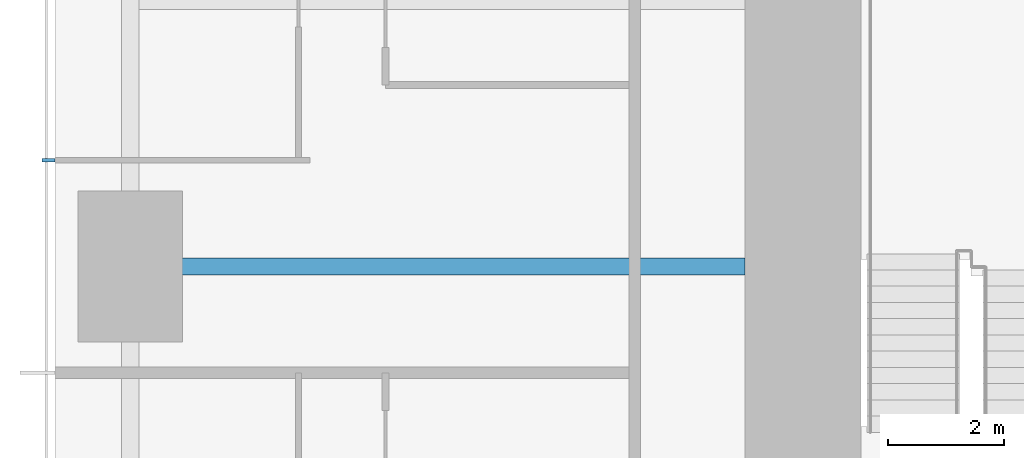
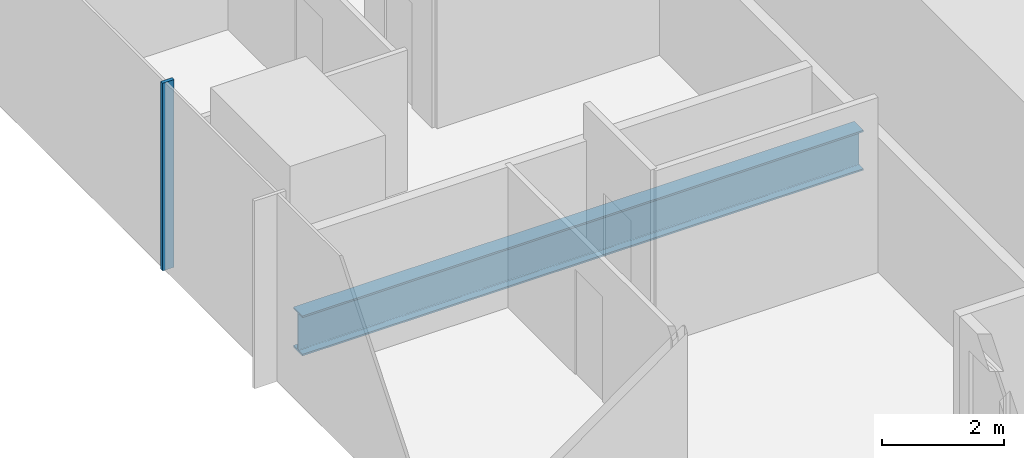
# One storey, part 3 of 13: 1 beam, 1 member, 1 element without a shape of its own.
"""IFC4 building model written with IfcOpenShell, lengths in metres."""

import ifcopenshell
import ifcopenshell.guid

model = None  # the IFC model being written
_history = None  # IfcOwnerHistory: only IFC2X3 demands one
_inside = {}  # id of a spatial element -> (the spatial element, [elements in it])
_under = {}  # id of a project, library or spatial element -> (it, [spatial elements below it])
_declared = {}  # id of a project -> (the project, [libraries it declares])
_typed = {}  # id of a type object -> (the type object, [elements of that type])
_made_of = {}  # id of a material, layer set ... -> (it, [elements and type objects made of it])


def new_model(schema):
    """Start an empty IFC model of exactly this schema.

    Asked for "IFC4X3", IfcOpenShell would pick the latest addendum, in which some entities
    have other attributes; the version numbers below select the first issue.
    IFC2X3 requires an IfcOwnerHistory on every rooted entity: one is made here for all.
    """
    global model, _history
    if schema == "IFC4X3":
        model = ifcopenshell.file(schema_version=(4, 3, 0, 0))
    else:
        model = ifcopenshell.file(schema=schema)
    _inside.clear()
    _under.clear()
    _declared.clear()
    _typed.clear()
    _made_of.clear()
    _history = None
    if model.schema == "IFC2X3":
        org = make("IfcOrganization", Name="unknown")
        user = make(
            "IfcPersonAndOrganization",
            ThePerson=make("IfcPerson", FamilyName="unknown"),
            TheOrganization=org,
        )
        app = make(
            "IfcApplication",
            ApplicationDeveloper=org,
            Version="unknown",
            ApplicationFullName="unknown",
            ApplicationIdentifier="unknown",
        )
        _history = make(
            "IfcOwnerHistory",
            OwningUser=user,
            OwningApplication=app,
            ChangeAction="ADDED",
            CreationDate=0,
        )
    return model


def make(cls, **values):
    """One entity of the class cls with the attributes given. An attribute that is None is left unset."""
    return model.create_entity(
        cls, **{name: value for name, value in values.items() if value is not None}
    )


def rooted(cls, **values):
    """An entity with a GlobalId (a new one), such as an element, a storey or a relation."""
    return make(cls, GlobalId=ifcopenshell.guid.new(), OwnerHistory=_history, **values)


def si_unit(unit_type, name, prefix=None):
    """IfcSIUnit, for example si_unit("LENGTHUNIT", "METRE", prefix="MILLI")."""
    return make("IfcSIUnit", UnitType=unit_type, Prefix=prefix, Name=name)


def assignment(units):
    """IfcUnitAssignment: the units of a project."""
    return None if units is None else make("IfcUnitAssignment", Units=units)


def point(xyz):
    """IfcCartesianPoint."""
    return None if xyz is None else make("IfcCartesianPoint", Coordinates=xyz)


def direction(xyz):
    """IfcDirection."""
    return None if xyz is None else make("IfcDirection", DirectionRatios=xyz)


def frame(location, z_axis=None, x_axis=None):
    """IfcAxis2Placement3D, a coordinate frame: its origin and axes. An axis left out is left unset."""
    return make(
        "IfcAxis2Placement3D",
        Location=point(location),
        Axis=direction(z_axis),
        RefDirection=direction(x_axis),
    )


def frame_2d(location, x_axis=None):
    """IfcAxis2Placement2D, a coordinate frame in the plane: its origin and x axis."""
    return make(
        "IfcAxis2Placement2D", Location=point(location), RefDirection=direction(x_axis)
    )


def origin():
    """The frame at (0, 0, 0) with its axes left unset."""
    return frame((0.0, 0.0, 0.0))


def origin_2d():
    """The frame at (0, 0) in the plane with its x axis left unset."""
    return frame_2d((0.0, 0.0))


def place(relative_to, where):
    """IfcLocalPlacement: puts the frame where relative to a parent placement (None: the world)."""
    return make(
        "IfcLocalPlacement", PlacementRelTo=relative_to, RelativePlacement=where
    )


def context(
    kind, dimensions, precision=None, world=None, true_north=None, identifier=None
):
    """IfcGeometricRepresentationContext, for example the 3D "Model" context."""
    return make(
        "IfcGeometricRepresentationContext",
        ContextIdentifier=identifier,
        ContextType=kind,
        CoordinateSpaceDimension=dimensions,
        Precision=precision,
        WorldCoordinateSystem=world,
        TrueNorth=true_north,
    )


def subcontext(parent, identifier, kind, view, scale=None):
    """IfcGeometricRepresentationSubContext, for example "Body" below "Model"."""
    return make(
        "IfcGeometricRepresentationSubContext",
        ContextIdentifier=identifier,
        ContextType=kind,
        ParentContext=parent,
        TargetScale=scale,
        TargetView=view,
    )


def project(units=None, contexts=None):
    """IfcProject with its units and contexts."""
    return rooted(
        "IfcProject",
        Name="project",
        RepresentationContexts=contexts,
        UnitsInContext=assignment(units),
    )


def spatial(cls, under=None, at=None, **own):
    """A site, building, storey or space (cls), placed at a placement, below another one or the project."""
    s = rooted(cls, ObjectPlacement=at, **own)
    if under is not None:
        _under.setdefault(under.id(), (under, []))[1].append(s)
    return s


def profile(cls, at=None, kind="AREA", **sizes):
    """A parametric profile (cls). Its sizes go by their IFC names, for example OverallWidth=200.0."""
    return make(cls, ProfileType=kind, Position=at, **sizes)


def rectangle(**sizes):
    """IfcRectangleProfileDef."""
    return profile("IfcRectangleProfileDef", **sizes)


def i_section(**sizes):
    """IfcIShapeProfileDef."""
    return profile("IfcIShapeProfileDef", **sizes)


def extrude(swept, where, along, depth):
    """IfcExtrudedAreaSolid: the profile swept, set in the frame where, extruded along a direction by depth."""
    return make(
        "IfcExtrudedAreaSolid",
        SweptArea=swept,
        Position=where,
        ExtrudedDirection=direction(along),
        Depth=depth,
    )


def shape(context_of_items, identifier, shape_type, items):
    """IfcShapeRepresentation: the items that make up one representation, for example the "Body"."""
    return make(
        "IfcShapeRepresentation",
        ContextOfItems=context_of_items,
        RepresentationIdentifier=identifier,
        RepresentationType=shape_type,
        Items=items,
    )


def material(Name=None, Category=None):
    """IfcMaterial."""
    return make("IfcMaterial", Name=Name, Category=Category)


def material_profile(
    of_material, cross_section, Name=None, Category=None, Priority=None
):
    """IfcMaterialProfile: a cross section and its material."""
    return make(
        "IfcMaterialProfile",
        Name=Name,
        Material=of_material,
        Profile=cross_section,
        Priority=Priority,
        Category=Category,
    )


def profile_set(profiles, Name=None, composite=None):
    """IfcMaterialProfileSet."""
    return make(
        "IfcMaterialProfileSet",
        Name=Name,
        MaterialProfiles=profiles,
        CompositeProfile=composite,
    )


def made_of(thing, what):
    """Note that an element or type object is made of a material, layer set ...; save() writes the relation."""
    if what is not None:
        _made_of.setdefault(what.id(), (what, []))[1].append(thing)
    return thing


def type_object(cls, material=None, **own):
    """A type object (cls), such as IfcWallType, which elements share."""
    return made_of(rooted(cls, **own), material)


def element(
    cls,
    number,
    at=None,
    inside=None,
    cuts=None,
    type_object=None,
    material=None,
    context=None,
    identifier="Body",
    shape_type=None,
    held_by="IfcProductDefinitionShape",
    body=None,
    shapes=None,
    **own,
):
    """One element of the class cls, such as IfcWall. Its Tag is "e" and its number.

    at: its placement. inside: the storey or other place that contains it. cuts: it is an
    opening in that element (IfcRelVoidsElement). A single representation is given by context,
    identifier, shape_type and body (its items); several are given by shapes. held_by: the class
    of the entity that holds the representations. save() writes the other relations.
    """
    e = rooted(cls, Tag="e%d" % number, ObjectPlacement=at, **own)
    if body is not None:
        shapes = [shape(context, identifier, shape_type, body)]
    if shapes is not None:
        e.Representation = make(held_by, Representations=shapes)
    if inside is not None:
        _inside.setdefault(inside.id(), (inside, []))[1].append(e)
    if cuts is not None:
        rooted(
            "IfcRelVoidsElement", RelatingBuildingElement=cuts, RelatedOpeningElement=e
        )
    if type_object is not None:
        _typed.setdefault(type_object.id(), (type_object, []))[1].append(e)
    return made_of(e, material)


def aggregate(whole, parts):
    """IfcRelAggregates: a whole, such as a stair, and the parts it consists of."""
    return rooted("IfcRelAggregates", RelatingObject=whole, RelatedObjects=parts)


def save(model, path):
    """Write the relations noted so far, then the file.

    IfcRelAggregates (storeys below a building ...), IfcRelContainedInSpatialStructure (elements
    in a storey), IfcRelDefinesByType, IfcRelAssociatesMaterial and IfcRelDeclares: one each for
    every whole, place, type object, material and project.
    """
    for whole, parts in _under.values():
        aggregate(whole, parts)
    for where, things in _inside.values():
        rooted(
            "IfcRelContainedInSpatialStructure",
            RelatedElements=things,
            RelatingStructure=where,
        )
    for kind, things in _typed.values():
        rooted("IfcRelDefinesByType", RelatedObjects=things, RelatingType=kind)
    for what, things in _made_of.values():
        rooted("IfcRelAssociatesMaterial", RelatedObjects=things, RelatingMaterial=what)
    for by, libraries in _declared.values():
        rooted("IfcRelDeclares", RelatingContext=by, RelatedDefinitions=libraries)
    model.write(path)


model = new_model("IFC4")

# Units and contexts
model_context = context("Model", 3, precision=1e-05, world=origin(), true_north=direction((0.0, 1.0)))
body_context = subcontext(model_context, "Body", "Model", "MODEL_VIEW")
ifc_project = project(units=[si_unit("LENGTHUNIT", "METRE"), si_unit("AREAUNIT", "SQUARE_METRE"), si_unit("VOLUMEUNIT", "CUBIC_METRE"), si_unit("PLANEANGLEUNIT", "RADIAN"), si_unit("MASSUNIT", "GRAM", prefix="KILO")], contexts=[model_context])

# Site, building, storey
site_placement = place(None, origin())
site = spatial("IfcSite", under=ifc_project, at=site_placement, CompositionType="ELEMENT")
building_placement = place(site_placement, origin())
building = spatial("IfcBuilding", under=site, at=building_placement, Name="Khuree Lantern Residences", CompositionType="ELEMENT")
storey_placement = place(building_placement, frame((0.0, 0.0, 163.5)))
storey = spatial("IfcBuildingStorey", under=building, at=storey_placement, Name="L41", CompositionType="ELEMENT", Elevation=163.5)

# Beam
ifc_material_1 = material(Name="Steel S355", Category="steel")
ifc_material_profile_1 = material_profile(ifc_material_1, i_section(OverallWidth=0.300048828125, OverallDepth=0.800048828125, WebThickness=0.017578125, FlangeThickness=0.032958984375, FilletRadius=0.030029296875, at=origin_2d()), Name="HE 800 B")
ifc_profile_set_1 = profile_set([ifc_material_profile_1], Name="Steel S355")
beam_type = type_object("IfcBeamType", Name="G-24 GIRDER HE 800 B", PredefinedType="BEAM", material=ifc_profile_set_1)
beam_placement = place(storey_placement, frame((-27.10009765625, 0.0, -0.64990234375), z_axis=(1.0, 0.0, 0.0), x_axis=(0.0, 1.0, 0.0)))
element("IfcBeam", 1, at=beam_placement, inside=storey, type_object=beam_type, Name="Girder W3", PredefinedType="BEAM", context=body_context, shape_type="SweptSolid", body=[
    extrude(i_section(OverallWidth=0.300048828125, OverallDepth=0.800048828125, WebThickness=0.017578125, FlangeThickness=0.032958984375, FilletRadius=0.030029296875, at=origin_2d()), origin(), (0.0, 0.0, 1.0), 10.60009765625),
])

# Curtain wall, member
ifc_material_2 = material(Name="Bronze anodised aluminium", Category="aluminium")
curtain_wall_type = type_object("IfcCurtainWallType", Name="CW-T1 TOWER FACE CURTAIN WALL", PredefinedType="USERDEFINED", material=ifc_material_2)
curtain_wall_placement = place(storey_placement, origin())
curtain_wall = element("IfcCurtainWall", 2, at=curtain_wall_placement, inside=storey, type_object=curtain_wall_type, Name="L41 WEST FACE CURTAIN WALL", ObjectType="Stick-built curtain wall", PredefinedType="USERDEFINED")
ifc_material_profile_2 = material_profile(ifc_material_2, rectangle(XDim=0.06494140625, YDim=0.219970703125, at=origin_2d()), Name="M1 65X220")
ifc_profile_set_2 = profile_set([ifc_material_profile_2], Name="Bronze anodised aluminium")
member_type = type_object("IfcMemberType", Name="M1 BRONZE MULLION TOWER 65X220", PredefinedType="MULLION", material=ifc_profile_set_2)
member_placement = place(storey_placement, frame((-28.510009765625, 1.83203125, 0.0), z_axis=(0.0, 0.0, 1.0), x_axis=(0.0, -1.0, 0.0)))
member = element("IfcMember", 3, at=member_placement, type_object=member_type, Name="L41 WEST FACE MULLION 37", PredefinedType="MULLION", context=body_context, shape_type="SweptSolid", body=[
    extrude(rectangle(XDim=0.06494140625, YDim=0.219970703125, at=origin_2d()), origin(), (0.0, 0.0, 1.0), 3.75),
])
aggregate(curtain_wall, [member])

save(model, "model.ifc")
